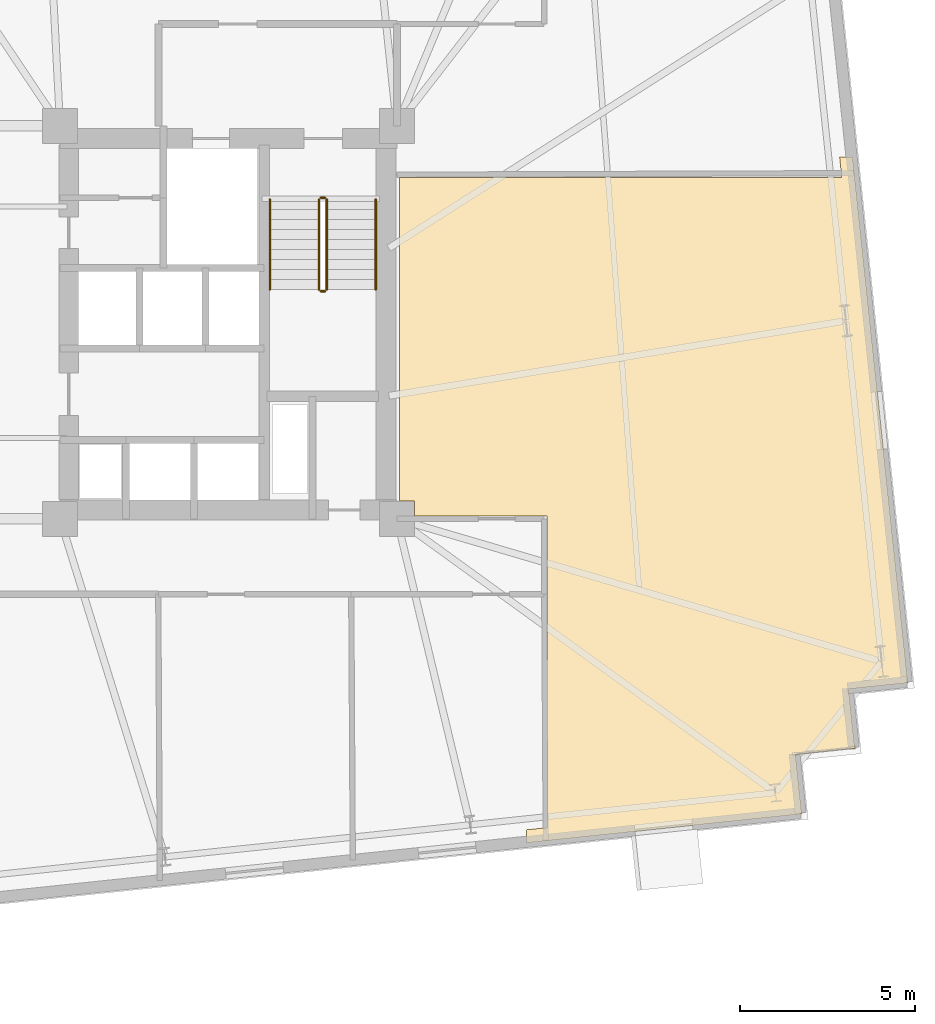
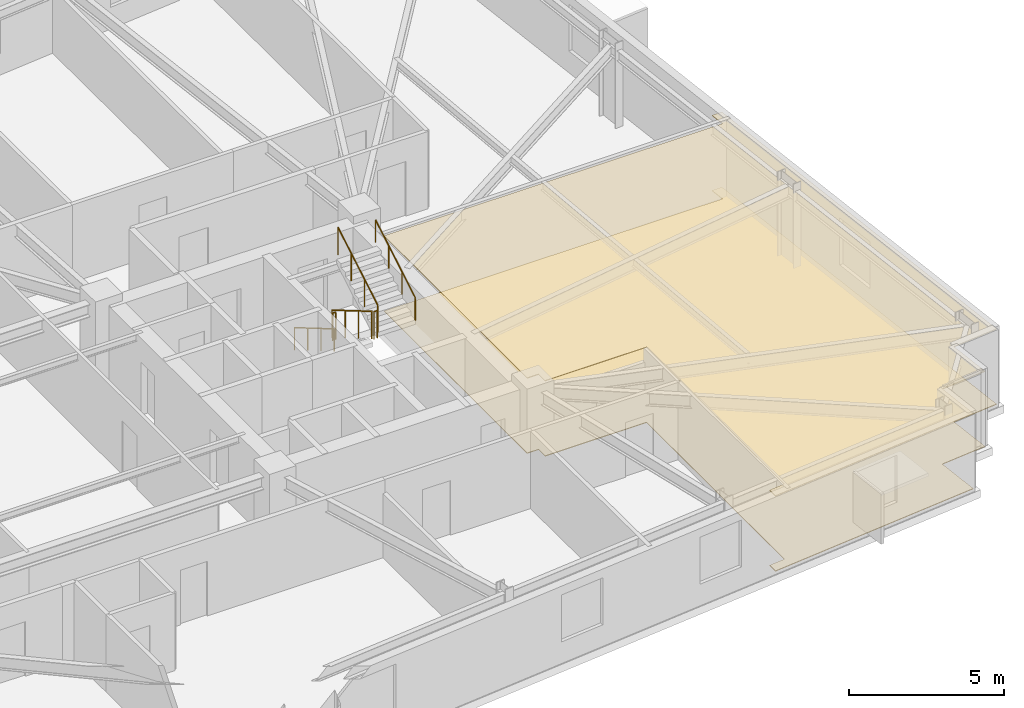
# One storey, part 17 of 18: 6 railings, 2 coverings.
"""IFC4 building model written with IfcOpenShell, lengths in metres."""

from ifc_helpers import new_model, si_unit, direction, frame, origin, origin_2d, place, context, subcontext, project, spatial, polyline, circle, outline, extrude, material, layer, layer_set, type_object, element, save


model = new_model("IFC4")

# Units and contexts
model_context = context("Model", 3, precision=1e-05, world=origin(), true_north=direction((0.0, 1.0)))
body_context = subcontext(model_context, "Body", "Model", "MODEL_VIEW")
ifc_project = project(units=[si_unit("LENGTHUNIT", "METRE"), si_unit("AREAUNIT", "SQUARE_METRE"), si_unit("VOLUMEUNIT", "CUBIC_METRE"), si_unit("PLANEANGLEUNIT", "RADIAN"), si_unit("MASSUNIT", "GRAM", prefix="KILO")], contexts=[model_context])

# Site, building, storey
site_placement = place(None, origin())
site = spatial("IfcSite", under=ifc_project, at=site_placement, CompositionType="ELEMENT")
building_placement = place(site_placement, origin())
building = spatial("IfcBuilding", under=site, at=building_placement, Name="Qobustan Lattice House", CompositionType="ELEMENT")
storey_placement = place(building_placement, frame((0.0, 0.0, 109.14990234375)))
storey = spatial("IfcBuildingStorey", under=building, at=storey_placement, Name="L30", CompositionType="ELEMENT", Elevation=109.14990234375)

# Coverings
ifc_material_1 = material(Name="Perforated gypsum acoustic ceiling", Category="gypsum")
ifc_layer_1 = layer(ifc_material_1, 0.030029296875)
ifc_layer_set_1 = layer_set([ifc_layer_1], Name="Perforated gypsum acoustic ceiling")
covering_type_1 = type_object("IfcCoveringType", Name="COV-ACOUSTIC-CEIL", PredefinedType="CEILING", material=ifc_layer_set_1)
covering_1_placement = place(storey_placement, frame((0.0, 0.0, 2.955078125)))
element("IfcCovering", 1, at=covering_1_placement, inside=storey, type_object=covering_type_1, Name="L30 Fellows reading room acoustic ceiling", PredefinedType="CEILING", context=body_context, shape_type="SweptSolid", body=[
    extrude(outline(polyline([(31.853271484375, -12.14404296875), (31.675537109375, -10.453369140625), (33.3662109375, -10.275634765625), (31.79150390625, 4.708251953125), (31.419189453125, 4.708251953125), (31.480224609375, 4.128173828125), (18.8798828125, 4.128173828125), (18.8798828125, -5.097900390625), (19.302001953125, -5.097900390625), (19.302001953125, -5.52001953125), (23.080078125, -5.52001953125), (23.080078125, -14.403564453125), (22.5, -14.46435546875), (22.5, -14.83642578125), (30.34033203125, -14.012451171875), (30.16259765625, -12.32177734375), (31.853271484375, -12.14404296875)])), origin(), (0.0, 0.0, 1.0), 0.030029296875),
])
ifc_material_2 = material(Name="Honed Absheron stone terrazzo flooring", Category="masonry")
ifc_layer_2 = layer(ifc_material_2, 0.02490234375)
ifc_layer_set_2 = layer_set([ifc_layer_2], Name="Honed Absheron stone terrazzo flooring")
covering_type_2 = type_object("IfcCoveringType", Name="COV-TERRAZZO-FLR", PredefinedType="FLOORING", material=ifc_layer_set_2)
covering_2_placement = place(storey_placement, origin())
element("IfcCovering", 2, at=covering_2_placement, inside=storey, type_object=covering_type_2, Name="L30 Fellows reading room stone terrazzo flooring", PredefinedType="FLOORING", context=body_context, shape_type="SweptSolid", body=[
    extrude(outline(polyline([(31.853271484375, -12.14404296875), (31.675537109375, -10.453369140625), (33.3662109375, -10.275634765625), (31.79150390625, 4.708251953125), (31.419189453125, 4.708251953125), (31.480224609375, 4.128173828125), (18.8798828125, 4.128173828125), (18.8798828125, -5.097900390625), (19.302001953125, -5.097900390625), (19.302001953125, -5.52001953125), (23.080078125, -5.52001953125), (23.080078125, -14.403564453125), (22.5, -14.46435546875), (22.5, -14.83642578125), (30.34033203125, -14.012451171875), (30.16259765625, -12.32177734375), (31.853271484375, -12.14404296875)])), origin(), (0.0, 0.0, 1.0), 0.025146484375),
])

# Railings
ifc_material_3 = material(Name="Brushed stainless steel handrail", Category="steel")
railing_type_1 = type_object("IfcRailingType", Name="RAL-HR-920", PredefinedType="HANDRAIL", material=ifc_material_3)
railing_1_placement = place(storey_placement, frame((15.179931640625, 3.5, 0.16748046875)))
element("IfcRailing", 3, at=railing_1_placement, inside=storey, type_object=railing_type_1, Name="L30 ST-E1 stair handrail 1", PredefinedType="HANDRAIL", context=body_context, shape_type="SweptSolid", body=[
    extrude(circle(Radius=0.02392578125, at=origin_2d()), frame((0.0, 0.0, 0.8759765625), z_axis=(0.0, -0.862113467892, 0.50671527358), x_axis=(1.0, 0.0, 0.0)), (0.0, 0.0, 1.0), 2.97509765625),
    extrude(circle(Radius=0.02099609375, at=origin_2d()), origin(), (0.0, 0.0, 1.0), 0.851806640625),
    extrude(circle(Radius=0.02099609375, at=origin_2d()), frame((0.0, -0.85498046875, 0.50244140625)), (0.0, 0.0, 1.0), 0.851806640625),
    extrude(circle(Radius=0.02099609375, at=origin_2d()), frame((0.0, -1.7099609375, 1.005126953125)), (0.0, 0.0, 1.0), 0.851806640625),
    extrude(circle(Radius=0.02099609375, at=origin_2d()), frame((0.0, -2.56494140625, 1.507568359375)), (0.0, 0.0, 1.0), 0.851806640625),
])
railing_2_placement = place(storey_placement, frame((18.199951171875, 0.93505859375, 1.842529296875)))
element("IfcRailing", 4, at=railing_2_placement, inside=storey, type_object=railing_type_1, Name="L30 ST-E1 stair handrail 2", PredefinedType="HANDRAIL", context=body_context, shape_type="SweptSolid", body=[
    extrude(circle(Radius=0.02392578125, at=origin_2d()), frame((0.0, 0.0, 0.8759765625), z_axis=(0.0, 0.862113467892, 0.50671527358), x_axis=(-1.0, 0.0, 0.0)), (0.0, 0.0, 1.0), 2.97509765625),
    extrude(circle(Radius=0.02099609375, at=origin_2d()), origin(), (0.0, 0.0, 1.0), 0.851806640625),
    extrude(circle(Radius=0.02099609375, at=origin_2d()), frame((0.0, 0.85498046875, 0.50244140625)), (0.0, 0.0, 1.0), 0.851806640625),
    extrude(circle(Radius=0.02099609375, at=origin_2d()), frame((0.0, 1.7099609375, 1.005126953125)), (0.0, 0.0, 1.0), 0.851806640625),
    extrude(circle(Radius=0.02099609375, at=origin_2d()), frame((0.0, 2.56494140625, 1.507568359375)), (0.0, 0.0, 1.0), 0.851806640625),
])
ifc_material_4 = material(Name="Painted galvanized steel guardrail", Category="steel")
railing_type_2 = type_object("IfcRailingType", Name="RAL-STG-1150", PredefinedType="GUARDRAIL", material=ifc_material_4)
railing_3_placement = place(storey_placement, frame((16.580078125, 3.5, 0.16748046875)))
element("IfcRailing", 5, at=railing_3_placement, inside=storey, type_object=railing_type_2, Name="L30 ST-E1 stair guard 1", PredefinedType="GUARDRAIL", context=body_context, shape_type="SweptSolid", body=[
    extrude(circle(Radius=0.02392578125, at=origin_2d()), frame((0.0, 0.0, 1.076171875), z_axis=(0.0, -0.862113467892, 0.50671527358), x_axis=(1.0, 0.0, 0.0)), (0.0, 0.0, 1.0), 2.97509765625),
    extrude(circle(Radius=0.02099609375, at=origin_2d()), origin(), (0.0, 0.0, 1.0), 1.052001953125),
    extrude(circle(Radius=0.02099609375, at=origin_2d()), frame((0.0, -0.85498046875, 0.50244140625)), (0.0, 0.0, 1.0), 1.052001953125),
    extrude(circle(Radius=0.02099609375, at=origin_2d()), frame((0.0, -1.7099609375, 1.005126953125)), (0.0, 0.0, 1.0), 1.052001953125),
    extrude(circle(Radius=0.02099609375, at=origin_2d()), frame((0.0, -2.56494140625, 1.507568359375)), (0.0, 0.0, 1.0), 1.052001953125),
])
railing_4_placement = place(storey_placement, frame((16.6298828125, 0.885009765625, 1.675048828125)))
element("IfcRailing", 6, at=railing_4_placement, inside=storey, type_object=railing_type_2, Name="L30 ST-E1 stair guard 2", PredefinedType="GUARDRAIL", context=body_context, shape_type="SweptSolid", body=[
    extrude(circle(Radius=0.02392578125, at=origin_2d()), frame((0.0, 0.0, 1.076171875), z_axis=(1.0, 0.0, 0.0), x_axis=(0.0, 1.0, 0.0)), (0.0, 0.0, 1.0), 0.1201171875),
    extrude(circle(Radius=0.02099609375, at=origin_2d()), origin(), (0.0, 0.0, 1.0), 1.052001953125),
    extrude(circle(Radius=0.02099609375, at=origin_2d()), frame((0.1201171875, 0.0, 0.0)), (0.0, 0.0, 1.0), 1.052001953125),
])
railing_5_placement = place(storey_placement, frame((16.800048828125, 0.93505859375, 1.842529296875)))
element("IfcRailing", 7, at=railing_5_placement, inside=storey, type_object=railing_type_2, Name="L30 ST-E1 stair guard 3", PredefinedType="GUARDRAIL", context=body_context, shape_type="SweptSolid", body=[
    extrude(circle(Radius=0.02392578125, at=origin_2d()), frame((0.0, 0.0, 1.076171875), z_axis=(0.0, 0.862113467892, 0.50671527358), x_axis=(-1.0, 0.0, 0.0)), (0.0, 0.0, 1.0), 2.97509765625),
    extrude(circle(Radius=0.02099609375, at=origin_2d()), origin(), (0.0, 0.0, 1.0), 1.052001953125),
    extrude(circle(Radius=0.02099609375, at=origin_2d()), frame((0.0, 0.85498046875, 0.50244140625)), (0.0, 0.0, 1.0), 1.052001953125),
    extrude(circle(Radius=0.02099609375, at=origin_2d()), frame((0.0, 1.7099609375, 1.005126953125)), (0.0, 0.0, 1.0), 1.052001953125),
    extrude(circle(Radius=0.02099609375, at=origin_2d()), frame((0.0, 2.56494140625, 1.507568359375)), (0.0, 0.0, 1.0), 1.052001953125),
])
railing_6_placement = place(storey_placement, frame((16.6298828125, 3.550048828125, 0.0)))
element("IfcRailing", 8, at=railing_6_placement, inside=storey, type_object=railing_type_2, Name="L30 ST-E1 stair guard 4", PredefinedType="GUARDRAIL", context=body_context, shape_type="SweptSolid", body=[
    extrude(circle(Radius=0.02392578125, at=origin_2d()), frame((0.0, 0.0, 1.076171875), z_axis=(1.0, 0.0, 0.0), x_axis=(0.0, 1.0, 0.0)), (0.0, 0.0, 1.0), 0.1201171875),
    extrude(circle(Radius=0.02099609375, at=origin_2d()), origin(), (0.0, 0.0, 1.0), 1.052001953125),
    extrude(circle(Radius=0.02099609375, at=origin_2d()), frame((0.1201171875, 0.0, 0.0)), (0.0, 0.0, 1.0), 1.052001953125),
])

save(model, "model.ifc")
